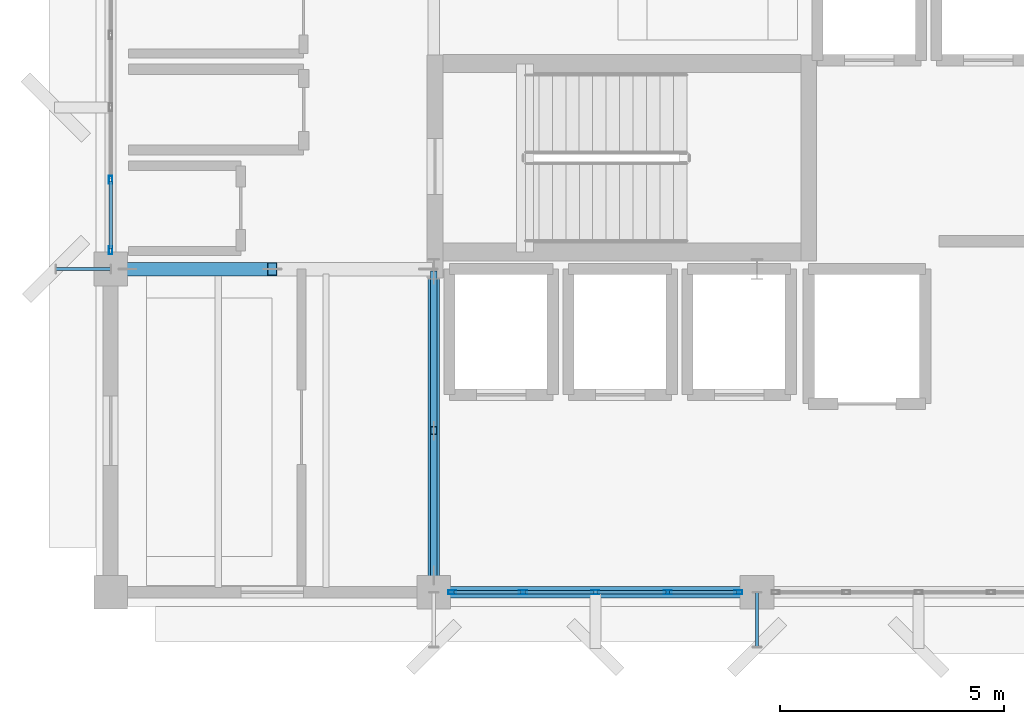
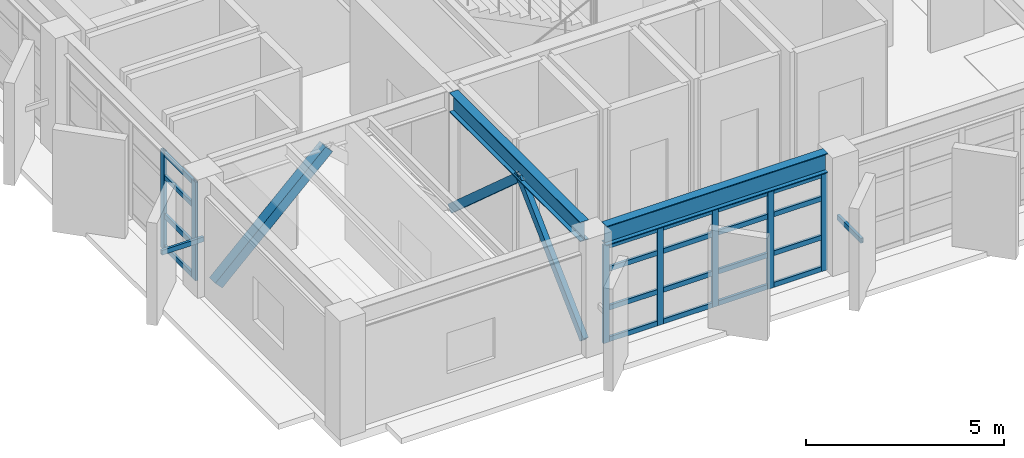
# One storey, part 4 of 32: 32 members, 2 beams, 2 elements without a shape of their own.
"""IFC4 building model written with IfcOpenShell, lengths in metres."""

from ifc_helpers import new_model, si_unit, direction, frame, origin, origin_2d, place, context, subcontext, project, spatial, hollow_rectangle, i_section, extrude, material, layer, layer_set, material_profile, profile_set, type_object, element, aggregate, save


model = new_model("IFC4")

# Units and contexts
model_context = context("Model", 3, precision=1e-05, world=origin(), true_north=direction((0.0, 1.0)))
body_context = subcontext(model_context, "Body", "Model", "MODEL_VIEW")
ifc_project = project(units=[si_unit("LENGTHUNIT", "METRE"), si_unit("AREAUNIT", "SQUARE_METRE"), si_unit("VOLUMEUNIT", "CUBIC_METRE"), si_unit("PLANEANGLEUNIT", "RADIAN"), si_unit("MASSUNIT", "GRAM", prefix="KILO")], contexts=[model_context])

# Site, building, storey
site_placement = place(None, origin())
site = spatial("IfcSite", under=ifc_project, at=site_placement, CompositionType="ELEMENT")
building_placement = place(site_placement, origin())
building = spatial("IfcBuilding", under=site, at=building_placement, Name="Kandorven Conservatory and Botanical Research Centre", CompositionType="ELEMENT")
storey_placement = place(building_placement, frame((0.0, 0.0, 17.10009765625)))
storey = spatial("IfcBuildingStorey", under=building, at=storey_placement, Name="L04", CompositionType="ELEMENT", Elevation=17.10009765625)

# Beams
ifc_material_1 = material(Name="Steel S355 (IS 2062 E350)", Category="steel")
ifc_material_profile_1 = material_profile(ifc_material_1, i_section(OverallWidth=0.25, OverallDepth=0.60009765625, WebThickness=0.01171875, FlangeThickness=0.023681640625, at=origin_2d()))
ifc_profile_set_1 = profile_set([ifc_material_profile_1], Name="Steel S355 (IS 2062 E350)")
beam_type = type_object("IfcBeamType", Name="Beam_FG-01", PredefinedType="USERDEFINED", material=ifc_profile_set_1)
beam_1_placement = place(storey_placement, frame((13.56494140625, 6.0, 3.35986328125), z_axis=(1.0, 0.0, 0.0), x_axis=(0.0, 1.0, 0.0)))
element("IfcBeam", 1, at=beam_1_placement, inside=storey, type_object=beam_type, Name="Primary girder FG-01 TWR L04", ObjectType="GIRDER", PredefinedType="USERDEFINED", context=body_context, shape_type="SweptSolid", body=[
    extrude(i_section(OverallWidth=0.25, OverallDepth=0.60009765625, WebThickness=0.01171875, FlangeThickness=0.023681640625, at=origin_2d()), origin(), (0.0, 0.0, 1.0), 6.469970703125),
])
beam_2_placement = place(storey_placement, frame((13.199951171875, 6.364990234375, 3.35986328125), z_axis=(0.0, 1.0, 0.0), x_axis=(-1.0, 0.0, 0.0)))
element("IfcBeam", 2, at=beam_2_placement, inside=storey, type_object=beam_type, Name="Primary girder FG-01 TWR L04", ObjectType="GIRDER", PredefinedType="USERDEFINED", context=body_context, shape_type="SweptSolid", body=[
    extrude(i_section(OverallWidth=0.25, OverallDepth=0.60009765625, WebThickness=0.01171875, FlangeThickness=0.023681640625, at=origin_2d()), origin(), (0.0, 0.0, 1.0), 6.6201171875),
])

# Curtain wall, members
ifc_material_2 = material(Name="Bronze anodised thermally broken aluminium", Category="aluminium")
ifc_layer = layer(ifc_material_2, 0.179931640625)
ifc_layer_set = layer_set([ifc_layer], Name="Bronze anodised thermally broken aluminium")
curtain_wall_type = type_object("IfcCurtainWallType", Name="CW_Unitised", PredefinedType="USERDEFINED", material=ifc_layer_set)
curtain_wall_1_placement = place(storey_placement, origin())
curtain_wall_1 = element("IfcCurtainWall", 3, at=curtain_wall_1_placement, inside=storey, type_object=curtain_wall_type, Name="Tower laboratory curtain wall CW-TWR-S-L04-2", ObjectType="UNITISED GLAZING", PredefinedType="USERDEFINED")
ifc_material_3 = material(Name="Bronze anodised thermally broken aluminium", Category="aluminium")
ifc_material_profile_2 = material_profile(ifc_material_3, hollow_rectangle(XDim=0.080078125, YDim=0.179931640625, WallThickness=0.006103515625, at=origin_2d()))
ifc_profile_set_2 = profile_set([ifc_material_profile_2], Name="Bronze anodised thermally broken aluminium")
member_type_1 = type_object("IfcMemberType", Name="CW_Mullion", PredefinedType="MULLION", material=ifc_profile_set_2)
member_1_placement = place(storey_placement, frame((13.614990234375, 6.0, 0.0), z_axis=(0.0, 0.0, 1.0), x_axis=(0.0, 1.0, 0.0)))
member_1 = element("IfcMember", 4, at=member_1_placement, type_object=member_type_1, Name="CW-01 mullion 1", PredefinedType="MULLION", context=body_context, shape_type="SweptSolid", body=[
    extrude(hollow_rectangle(XDim=0.080078125, YDim=0.179931640625, WallThickness=0.006103515625, at=origin_2d()), origin(), (0.0, 0.0, 1.0), 3.039794921875),
])
member_2_placement = place(storey_placement, frame((15.1875, 6.0, 0.0), z_axis=(0.0, 0.0, 1.0), x_axis=(0.0, 1.0, 0.0)))
member_2 = element("IfcMember", 5, at=member_2_placement, type_object=member_type_1, Name="CW-01 mullion 2", PredefinedType="MULLION", context=body_context, shape_type="SweptSolid", body=[
    extrude(hollow_rectangle(XDim=0.080078125, YDim=0.179931640625, WallThickness=0.006103515625, at=origin_2d()), origin(), (0.0, 0.0, 1.0), 3.039794921875),
])
member_3_placement = place(storey_placement, frame((16.800048828125, 6.0, 0.0), z_axis=(0.0, 0.0, 1.0), x_axis=(0.0, 1.0, 0.0)))
member_3 = element("IfcMember", 6, at=member_3_placement, type_object=member_type_1, Name="CW-01 mullion 3", PredefinedType="MULLION", context=body_context, shape_type="SweptSolid", body=[
    extrude(hollow_rectangle(XDim=0.080078125, YDim=0.179931640625, WallThickness=0.006103515625, at=origin_2d()), origin(), (0.0, 0.0, 1.0), 3.039794921875),
])
member_4_placement = place(storey_placement, frame((18.41259765625, 6.0, 0.0), z_axis=(0.0, 0.0, 1.0), x_axis=(0.0, 1.0, 0.0)))
member_4 = element("IfcMember", 7, at=member_4_placement, type_object=member_type_1, Name="CW-01 mullion 4", PredefinedType="MULLION", context=body_context, shape_type="SweptSolid", body=[
    extrude(hollow_rectangle(XDim=0.080078125, YDim=0.179931640625, WallThickness=0.006103515625, at=origin_2d()), origin(), (0.0, 0.0, 1.0), 3.039794921875),
])
member_5_placement = place(storey_placement, frame((19.985107421875, 6.0, 0.0), z_axis=(0.0, 0.0, 1.0), x_axis=(0.0, 1.0, 0.0)))
member_5 = element("IfcMember", 8, at=member_5_placement, type_object=member_type_1, Name="CW-01 mullion 5", PredefinedType="MULLION", context=body_context, shape_type="SweptSolid", body=[
    extrude(hollow_rectangle(XDim=0.080078125, YDim=0.179931640625, WallThickness=0.006103515625, at=origin_2d()), origin(), (0.0, 0.0, 1.0), 3.039794921875),
])

curtain_wall_2_placement = place(storey_placement, origin())
curtain_wall_2 = element("IfcCurtainWall", 9, at=curtain_wall_2_placement, inside=storey, type_object=curtain_wall_type, Name="Tower laboratory curtain wall CW-TWR-W-L04-2", ObjectType="UNITISED GLAZING", PredefinedType="USERDEFINED")
member_6_placement = place(storey_placement, frame((6.0, 13.614990234375, 0.0), z_axis=(0.0, 0.0, 1.0), x_axis=(-1.0, 0.0, 0.0)))
member_6 = element("IfcMember", 10, at=member_6_placement, type_object=member_type_1, Name="CW-01 mullion 1", PredefinedType="MULLION", context=body_context, shape_type="SweptSolid", body=[
    extrude(hollow_rectangle(XDim=0.080078125, YDim=0.179931640625, WallThickness=0.006103515625, at=origin_2d()), origin(), (0.0, 0.0, 1.0), 3.039794921875),
])
member_7_placement = place(storey_placement, frame((6.0, 15.1875, 0.0), z_axis=(0.0, 0.0, 1.0), x_axis=(-1.0, 0.0, 0.0)))
member_7 = element("IfcMember", 11, at=member_7_placement, type_object=member_type_1, Name="CW-01 mullion 2", PredefinedType="MULLION", context=body_context, shape_type="SweptSolid", body=[
    extrude(hollow_rectangle(XDim=0.080078125, YDim=0.179931640625, WallThickness=0.006103515625, at=origin_2d()), origin(), (0.0, 0.0, 1.0), 3.039794921875),
])

# Member
ifc_material_4 = material(Name="Bronze anodised thermally broken aluminium", Category="aluminium")
ifc_material_profile_3 = material_profile(ifc_material_4, hollow_rectangle(XDim=0.074951171875, YDim=0.14990234375, WallThickness=0.006103515625, at=origin_2d()))
ifc_profile_set_3 = profile_set([ifc_material_profile_3], Name="Bronze anodised thermally broken aluminium")
member_type_2 = type_object("IfcMemberType", Name="CW_Transom", PredefinedType="USERDEFINED", material=ifc_profile_set_3)
member_8_placement = place(storey_placement, frame((13.655029296875, 6.0, 0.074951171875), z_axis=(1.0, 0.0, 0.0), x_axis=(0.0, 1.0, 0.0)))
member_8 = element("IfcMember", 12, at=member_8_placement, type_object=member_type_2, Name="CW-01 transom 1.1", ObjectType="TRANSOM", PredefinedType="USERDEFINED", context=body_context, shape_type="SweptSolid", body=[
    extrude(hollow_rectangle(XDim=0.074951171875, YDim=0.14990234375, WallThickness=0.006103515625, at=origin_2d()), origin(), (0.0, 0.0, 1.0), 1.492431640625),
])

member_9_placement = place(storey_placement, frame((13.655029296875, 6.0, 1.0498046875), z_axis=(1.0, 0.0, 0.0), x_axis=(0.0, 1.0, 0.0)))
member_9 = element("IfcMember", 13, at=member_9_placement, type_object=member_type_2, Name="CW-01 transom 1.2", ObjectType="TRANSOM", PredefinedType="USERDEFINED", context=body_context, shape_type="SweptSolid", body=[
    extrude(hollow_rectangle(XDim=0.074951171875, YDim=0.14990234375, WallThickness=0.006103515625, at=origin_2d()), origin(), (0.0, 0.0, 1.0), 1.492431640625),
])

member_10_placement = place(storey_placement, frame((13.655029296875, 6.0, 2.25), z_axis=(1.0, 0.0, 0.0), x_axis=(0.0, 1.0, 0.0)))
member_10 = element("IfcMember", 14, at=member_10_placement, type_object=member_type_2, Name="CW-01 transom 1.3", ObjectType="TRANSOM", PredefinedType="USERDEFINED", context=body_context, shape_type="SweptSolid", body=[
    extrude(hollow_rectangle(XDim=0.074951171875, YDim=0.14990234375, WallThickness=0.006103515625, at=origin_2d()), origin(), (0.0, 0.0, 1.0), 1.492431640625),
])

member_11_placement = place(storey_placement, frame((13.655029296875, 6.0, 2.96484375), z_axis=(1.0, 0.0, 0.0), x_axis=(0.0, 1.0, 0.0)))
member_11 = element("IfcMember", 15, at=member_11_placement, type_object=member_type_2, Name="CW-01 transom 1.4", ObjectType="TRANSOM", PredefinedType="USERDEFINED", context=body_context, shape_type="SweptSolid", body=[
    extrude(hollow_rectangle(XDim=0.074951171875, YDim=0.14990234375, WallThickness=0.006103515625, at=origin_2d()), origin(), (0.0, 0.0, 1.0), 1.492431640625),
])

member_12_placement = place(storey_placement, frame((15.2275390625, 6.0, 0.074951171875), z_axis=(1.0, 0.0, 0.0), x_axis=(0.0, 1.0, 0.0)))
member_12 = element("IfcMember", 16, at=member_12_placement, type_object=member_type_2, Name="CW-01 transom 2.1", ObjectType="TRANSOM", PredefinedType="USERDEFINED", context=body_context, shape_type="SweptSolid", body=[
    extrude(hollow_rectangle(XDim=0.074951171875, YDim=0.14990234375, WallThickness=0.006103515625, at=origin_2d()), origin(), (0.0, 0.0, 1.0), 1.532470703125),
])

member_13_placement = place(storey_placement, frame((15.2275390625, 6.0, 1.0498046875), z_axis=(1.0, 0.0, 0.0), x_axis=(0.0, 1.0, 0.0)))
member_13 = element("IfcMember", 17, at=member_13_placement, type_object=member_type_2, Name="CW-01 transom 2.2", ObjectType="TRANSOM", PredefinedType="USERDEFINED", context=body_context, shape_type="SweptSolid", body=[
    extrude(hollow_rectangle(XDim=0.074951171875, YDim=0.14990234375, WallThickness=0.006103515625, at=origin_2d()), origin(), (0.0, 0.0, 1.0), 1.532470703125),
])

member_14_placement = place(storey_placement, frame((15.2275390625, 6.0, 2.25), z_axis=(1.0, 0.0, 0.0), x_axis=(0.0, 1.0, 0.0)))
member_14 = element("IfcMember", 18, at=member_14_placement, type_object=member_type_2, Name="CW-01 transom 2.3", ObjectType="TRANSOM", PredefinedType="USERDEFINED", context=body_context, shape_type="SweptSolid", body=[
    extrude(hollow_rectangle(XDim=0.074951171875, YDim=0.14990234375, WallThickness=0.006103515625, at=origin_2d()), origin(), (0.0, 0.0, 1.0), 1.532470703125),
])

member_15_placement = place(storey_placement, frame((15.2275390625, 6.0, 2.96484375), z_axis=(1.0, 0.0, 0.0), x_axis=(0.0, 1.0, 0.0)))
member_15 = element("IfcMember", 19, at=member_15_placement, type_object=member_type_2, Name="CW-01 transom 2.4", ObjectType="TRANSOM", PredefinedType="USERDEFINED", context=body_context, shape_type="SweptSolid", body=[
    extrude(hollow_rectangle(XDim=0.074951171875, YDim=0.14990234375, WallThickness=0.006103515625, at=origin_2d()), origin(), (0.0, 0.0, 1.0), 1.532470703125),
])

member_16_placement = place(storey_placement, frame((16.840087890625, 6.0, 0.074951171875), z_axis=(1.0, 0.0, 0.0), x_axis=(0.0, 1.0, 0.0)))
member_16 = element("IfcMember", 20, at=member_16_placement, type_object=member_type_2, Name="CW-01 transom 3.1", ObjectType="TRANSOM", PredefinedType="USERDEFINED", context=body_context, shape_type="SweptSolid", body=[
    extrude(hollow_rectangle(XDim=0.074951171875, YDim=0.14990234375, WallThickness=0.006103515625, at=origin_2d()), origin(), (0.0, 0.0, 1.0), 1.532470703125),
])

member_17_placement = place(storey_placement, frame((16.840087890625, 6.0, 1.0498046875), z_axis=(1.0, 0.0, 0.0), x_axis=(0.0, 1.0, 0.0)))
member_17 = element("IfcMember", 21, at=member_17_placement, type_object=member_type_2, Name="CW-01 transom 3.2", ObjectType="TRANSOM", PredefinedType="USERDEFINED", context=body_context, shape_type="SweptSolid", body=[
    extrude(hollow_rectangle(XDim=0.074951171875, YDim=0.14990234375, WallThickness=0.006103515625, at=origin_2d()), origin(), (0.0, 0.0, 1.0), 1.532470703125),
])

member_18_placement = place(storey_placement, frame((16.840087890625, 6.0, 2.25), z_axis=(1.0, 0.0, 0.0), x_axis=(0.0, 1.0, 0.0)))
member_18 = element("IfcMember", 22, at=member_18_placement, type_object=member_type_2, Name="CW-01 transom 3.3", ObjectType="TRANSOM", PredefinedType="USERDEFINED", context=body_context, shape_type="SweptSolid", body=[
    extrude(hollow_rectangle(XDim=0.074951171875, YDim=0.14990234375, WallThickness=0.006103515625, at=origin_2d()), origin(), (0.0, 0.0, 1.0), 1.532470703125),
])

member_19_placement = place(storey_placement, frame((16.840087890625, 6.0, 2.96484375), z_axis=(1.0, 0.0, 0.0), x_axis=(0.0, 1.0, 0.0)))
member_19 = element("IfcMember", 23, at=member_19_placement, type_object=member_type_2, Name="CW-01 transom 3.4", ObjectType="TRANSOM", PredefinedType="USERDEFINED", context=body_context, shape_type="SweptSolid", body=[
    extrude(hollow_rectangle(XDim=0.074951171875, YDim=0.14990234375, WallThickness=0.006103515625, at=origin_2d()), origin(), (0.0, 0.0, 1.0), 1.532470703125),
])

member_20_placement = place(storey_placement, frame((18.452392578125, 6.0, 0.074951171875), z_axis=(1.0, 0.0, 0.0), x_axis=(0.0, 1.0, 0.0)))
member_20 = element("IfcMember", 24, at=member_20_placement, type_object=member_type_2, Name="CW-01 transom 4.1", ObjectType="TRANSOM", PredefinedType="USERDEFINED", context=body_context, shape_type="SweptSolid", body=[
    extrude(hollow_rectangle(XDim=0.074951171875, YDim=0.14990234375, WallThickness=0.006103515625, at=origin_2d()), origin(), (0.0, 0.0, 1.0), 1.49267578125),
])

member_21_placement = place(storey_placement, frame((18.452392578125, 6.0, 1.0498046875), z_axis=(1.0, 0.0, 0.0), x_axis=(0.0, 1.0, 0.0)))
member_21 = element("IfcMember", 25, at=member_21_placement, type_object=member_type_2, Name="CW-01 transom 4.2", ObjectType="TRANSOM", PredefinedType="USERDEFINED", context=body_context, shape_type="SweptSolid", body=[
    extrude(hollow_rectangle(XDim=0.074951171875, YDim=0.14990234375, WallThickness=0.006103515625, at=origin_2d()), origin(), (0.0, 0.0, 1.0), 1.49267578125),
])

member_22_placement = place(storey_placement, frame((18.452392578125, 6.0, 2.25), z_axis=(1.0, 0.0, 0.0), x_axis=(0.0, 1.0, 0.0)))
member_22 = element("IfcMember", 26, at=member_22_placement, type_object=member_type_2, Name="CW-01 transom 4.3", ObjectType="TRANSOM", PredefinedType="USERDEFINED", context=body_context, shape_type="SweptSolid", body=[
    extrude(hollow_rectangle(XDim=0.074951171875, YDim=0.14990234375, WallThickness=0.006103515625, at=origin_2d()), origin(), (0.0, 0.0, 1.0), 1.49267578125),
])

member_23_placement = place(storey_placement, frame((18.452392578125, 6.0, 2.96484375), z_axis=(1.0, 0.0, 0.0), x_axis=(0.0, 1.0, 0.0)))
member_23 = element("IfcMember", 27, at=member_23_placement, type_object=member_type_2, Name="CW-01 transom 4.4", ObjectType="TRANSOM", PredefinedType="USERDEFINED", context=body_context, shape_type="SweptSolid", body=[
    extrude(hollow_rectangle(XDim=0.074951171875, YDim=0.14990234375, WallThickness=0.006103515625, at=origin_2d()), origin(), (0.0, 0.0, 1.0), 1.49267578125),
])

aggregate(curtain_wall_1, [member_1, member_2, member_3, member_4, member_5, member_8, member_9, member_10, member_11, member_12, member_13, member_14, member_15, member_16, member_17, member_18, member_19, member_20, member_21, member_22, member_23])

member_24_placement = place(storey_placement, frame((6.0, 13.655029296875, 0.074951171875), z_axis=(0.0, 1.0, 0.0), x_axis=(-1.0, 0.0, 0.0)))
member_24 = element("IfcMember", 28, at=member_24_placement, type_object=member_type_2, Name="CW-01 transom 1.1", ObjectType="TRANSOM", PredefinedType="USERDEFINED", context=body_context, shape_type="SweptSolid", body=[
    extrude(hollow_rectangle(XDim=0.074951171875, YDim=0.14990234375, WallThickness=0.006103515625, at=origin_2d()), origin(), (0.0, 0.0, 1.0), 1.492431640625),
])

member_25_placement = place(storey_placement, frame((6.0, 13.655029296875, 1.0498046875), z_axis=(0.0, 1.0, 0.0), x_axis=(-1.0, 0.0, 0.0)))
member_25 = element("IfcMember", 29, at=member_25_placement, type_object=member_type_2, Name="CW-01 transom 1.2", ObjectType="TRANSOM", PredefinedType="USERDEFINED", context=body_context, shape_type="SweptSolid", body=[
    extrude(hollow_rectangle(XDim=0.074951171875, YDim=0.14990234375, WallThickness=0.006103515625, at=origin_2d()), origin(), (0.0, 0.0, 1.0), 1.492431640625),
])

member_26_placement = place(storey_placement, frame((6.0, 13.655029296875, 2.25), z_axis=(0.0, 1.0, 0.0), x_axis=(-1.0, 0.0, 0.0)))
member_26 = element("IfcMember", 30, at=member_26_placement, type_object=member_type_2, Name="CW-01 transom 1.3", ObjectType="TRANSOM", PredefinedType="USERDEFINED", context=body_context, shape_type="SweptSolid", body=[
    extrude(hollow_rectangle(XDim=0.074951171875, YDim=0.14990234375, WallThickness=0.006103515625, at=origin_2d()), origin(), (0.0, 0.0, 1.0), 1.492431640625),
])

member_27_placement = place(storey_placement, frame((6.0, 13.655029296875, 2.96484375), z_axis=(0.0, 1.0, 0.0), x_axis=(-1.0, 0.0, 0.0)))
member_27 = element("IfcMember", 31, at=member_27_placement, type_object=member_type_2, Name="CW-01 transom 1.4", ObjectType="TRANSOM", PredefinedType="USERDEFINED", context=body_context, shape_type="SweptSolid", body=[
    extrude(hollow_rectangle(XDim=0.074951171875, YDim=0.14990234375, WallThickness=0.006103515625, at=origin_2d()), origin(), (0.0, 0.0, 1.0), 1.492431640625),
])

aggregate(curtain_wall_2, [member_6, member_7, member_24, member_25, member_26, member_27])

# Members
ifc_material_5 = material(Name="Steel S355 (IS 2062 E350)", Category="steel")
ifc_material_profile_4 = material_profile(ifc_material_5, hollow_rectangle(XDim=0.300048828125, YDim=0.300048828125, WallThickness=0.01611328125, at=origin_2d()))
ifc_profile_set_4 = profile_set([ifc_material_profile_4], Name="Steel S355 (IS 2062 E350)")
member_type_3 = type_object("IfcMemberType", Name="Mem_BR-01", PredefinedType="BRACE", material=ifc_profile_set_4)
member_28_placement = place(storey_placement, frame((6.375, 13.199951171875, 0.0), z_axis=(0.722086045488, 0.0, 0.691803254481), x_axis=(0.0, 1.0, 0.0)))
element("IfcMember", 32, at=member_28_placement, inside=storey, type_object=member_type_3, Name="Tower lateral chevron brace BR-01 L04 W", PredefinedType="BRACE", context=body_context, shape_type="SweptSolid", body=[
    extrude(hollow_rectangle(XDim=0.300048828125, YDim=0.300048828125, WallThickness=0.01611328125, at=origin_2d()), origin(), (0.0, 0.0, 1.0), 4.46630859375),
])
ifc_material_6 = material(Name="Steel S355 (IS 2062 E350)", Category="steel")
ifc_material_profile_5 = material_profile(ifc_material_6, hollow_rectangle(XDim=0.14990234375, YDim=0.25, WallThickness=0.010009765625, at=origin_2d()))
ifc_profile_set_5 = profile_set([ifc_material_profile_5], Name="Steel S355 (IS 2062 E350)")
member_type_4 = type_object("IfcMemberType", Name="Mem_BR-04", PredefinedType="BRACE", material=ifc_profile_set_5)
member_29_placement = place(storey_placement, frame((13.199951171875, 6.375, 0.0), z_axis=(0.0, 0.722086045488, 0.691803254481), x_axis=(-1.0, 0.0, 0.0)))
element("IfcMember", 33, at=member_29_placement, inside=storey, type_object=member_type_4, Name="Tower lateral chevron brace BR-04 L04 S", PredefinedType="BRACE", context=body_context, shape_type="SweptSolid", body=[
    extrude(hollow_rectangle(XDim=0.14990234375, YDim=0.25, WallThickness=0.010009765625, at=origin_2d()), origin(), (0.0, 0.0, 1.0), 4.46630859375),
])
member_30_placement = place(storey_placement, frame((13.199951171875, 13.074951171875, 0.0), z_axis=(0.0, -0.747293435799, 0.664494184182), x_axis=(1.0, 0.0, 0.0)))
element("IfcMember", 34, at=member_30_placement, inside=storey, type_object=member_type_4, Name="Tower lateral chevron brace BR-04 L04 N", PredefinedType="BRACE", context=body_context, shape_type="SweptSolid", body=[
    extrude(hollow_rectangle(XDim=0.14990234375, YDim=0.25, WallThickness=0.010009765625, at=origin_2d()), origin(), (0.0, 0.0, 1.0), 4.64990234375),
])
ifc_material_7 = material(Name="Steel S355 (IS 2062 E350)", Category="steel")
ifc_material_profile_6 = material_profile(ifc_material_7, hollow_rectangle(XDim=0.074951171875, YDim=0.14990234375, WallThickness=0.006103515625, at=origin_2d()))
ifc_profile_set_6 = profile_set([ifc_material_profile_6], Name="Steel S355 (IS 2062 E350)")
member_type_5 = type_object("IfcMemberType", Name="Mem_SF-01", PredefinedType="STRUT", material=ifc_profile_set_6)
for number, where, z_axis, x_axis, name in (
    (35, (20.39990234375, 6.0, 1.5), (0.0, -1.0, 0.0), (1.0, 0.0, 0.0), "Solar fin steel outrigger strut SF-01 #33"),
    (36, (6.0, 13.199951171875, 1.5), (-1.0, 0.0, 0.0), (0.0, -1.0, 0.0), "Solar fin steel outrigger strut SF-01 #37"),
):
    element("IfcMember", number, at=place(storey_placement, frame(where, z_axis=z_axis, x_axis=x_axis)), inside=storey, type_object=member_type_5, Name=name, PredefinedType="STRUT", context=body_context, shape_type="SweptSolid", body=[
        extrude(hollow_rectangle(XDim=0.074951171875, YDim=0.14990234375, WallThickness=0.006103515625, at=origin_2d()), origin(), (0.0, 0.0, 1.0), 1.219970703125),
    ])

save(model, "model.ifc")
